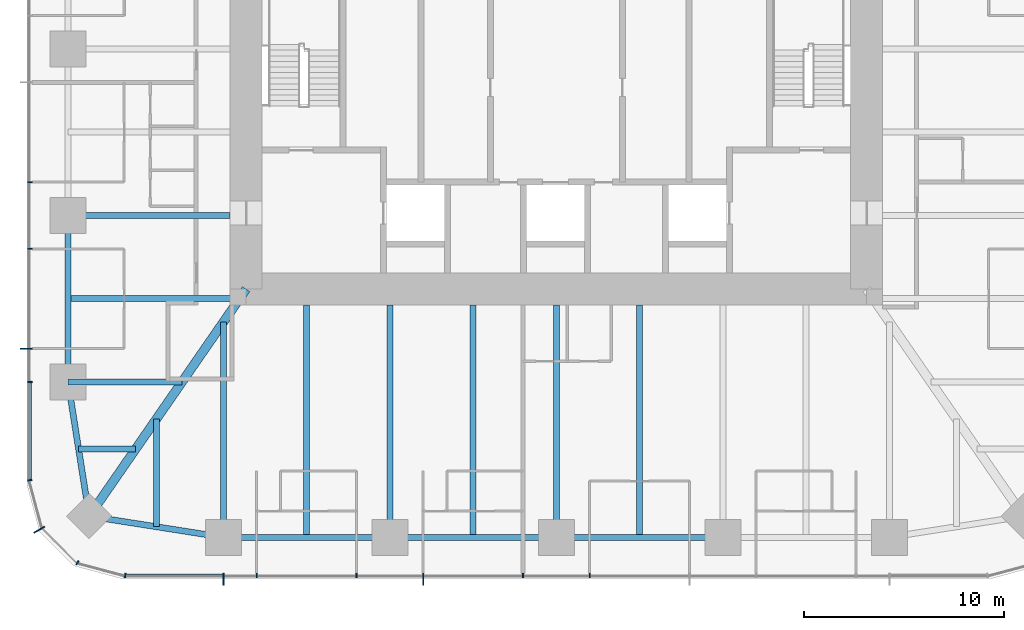
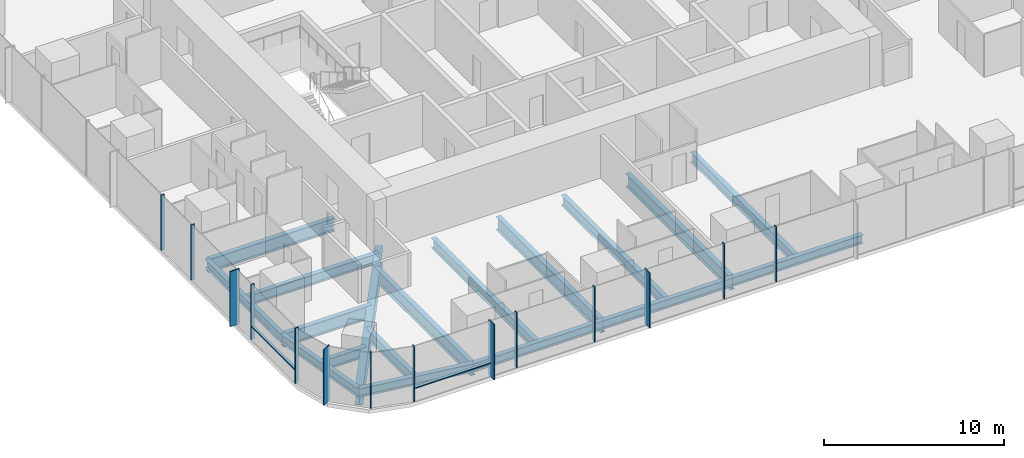
# One storey, part 2 of 12: 18 beams, 16 members, 3 elements without a shape of their own.
"""IFC4 building model written with IfcOpenShell, lengths in metres."""

from ifc_helpers import new_model, si_unit, direction, frame, origin, origin_2d, place, context, subcontext, project, spatial, rectangle, i_section, extrude, material, material_profile, profile_set, type_object, element, aggregate, save


model = new_model("IFC4")

# Units and contexts
model_context = context("Model", 3, precision=1e-05, world=origin(), true_north=direction((0.0, 1.0)))
body_context = subcontext(model_context, "Body", "Model", "MODEL_VIEW")
ifc_project = project(units=[si_unit("LENGTHUNIT", "METRE"), si_unit("AREAUNIT", "SQUARE_METRE"), si_unit("VOLUMEUNIT", "CUBIC_METRE"), si_unit("PLANEANGLEUNIT", "RADIAN"), si_unit("MASSUNIT", "GRAM", prefix="KILO")], contexts=[model_context])

# Site, building, storey
site_placement = place(None, origin())
site = spatial("IfcSite", under=ifc_project, at=site_placement, CompositionType="ELEMENT")
building_placement = place(site_placement, origin())
building = spatial("IfcBuilding", under=site, at=building_placement, Name="Khuree Lantern Residences", CompositionType="ELEMENT")
storey_placement = place(building_placement, frame((0.0, 0.0, 214.5)))
storey = spatial("IfcBuildingStorey", under=building, at=storey_placement, Name="L53", CompositionType="ELEMENT", Elevation=214.5)

# Beams
ifc_material_1 = material(Name="Steel S355", Category="steel")
ifc_material_profile_1 = material_profile(ifc_material_1, i_section(OverallWidth=0.300048828125, OverallDepth=0.68994140625, WebThickness=0.014404296875, FlangeThickness=0.027099609375, FilletRadius=0.027099609375, at=origin_2d()), Name="HE 700 A")
ifc_profile_set_1 = profile_set([ifc_material_profile_1], Name="Steel S355")
beam_type_1 = type_object("IfcBeamType", Name="B-32 SECONDARY BEAM HE 700 A", PredefinedType="BEAM", material=ifc_profile_set_1)
for number, where, z_axis, x_axis, name in (
    (1, (4.159912109375, -24.39990234375, -0.594970703125), (0.0, 1.0, 0.0), (-1.0, 0.0, 0.0), "Secondary beam S3"),
    (2, (-4.159912109375, -24.39990234375, -0.594970703125), (0.0, 1.0, 0.0), (-1.0, 0.0, 0.0), "Secondary beam S4"),
    (3, (-12.47998046875, -24.39990234375, -0.594970703125), (0.0, 1.0, 0.0), (-1.0, 0.0, 0.0), "Secondary beam S5"),
):
    element("IfcBeam", number, at=place(storey_placement, frame(where, z_axis=z_axis, x_axis=x_axis)), inside=storey, type_object=beam_type_1, Name=name, PredefinedType="BEAM", context=body_context, shape_type="SweptSolid", body=[
        extrude(i_section(OverallWidth=0.300048828125, OverallDepth=0.68994140625, WebThickness=0.014404296875, FlangeThickness=0.027099609375, FilletRadius=0.027099609375, at=origin_2d()), origin(), (0.0, 0.0, 1.0), 11.599853515625),
    ])
beam_1_placement = place(storey_placement, frame((-19.992919921875, -23.872802734375, -0.594970703125), z_axis=(0.0, 1.0, 0.0), x_axis=(-1.0, 0.0, 0.0)))
element("IfcBeam", 4, at=beam_1_placement, inside=storey, type_object=beam_type_1, Name="Secondary beam S6", PredefinedType="BEAM", context=body_context, shape_type="SweptSolid", body=[
    extrude(i_section(OverallWidth=0.300048828125, OverallDepth=0.68994140625, WebThickness=0.014404296875, FlangeThickness=0.027099609375, FilletRadius=0.027099609375, at=origin_2d()), origin(), (0.0, 0.0, 1.0), 5.375732421875),
])
beam_2_placement = place(storey_placement, frame((-23.872802734375, -19.992919921875, -0.594970703125), z_axis=(1.0, 0.0, 0.0), x_axis=(0.0, 1.0, 0.0)))
element("IfcBeam", 5, at=beam_2_placement, inside=storey, type_object=beam_type_1, Name="Secondary beam W1", PredefinedType="BEAM", context=body_context, shape_type="SweptSolid", body=[
    extrude(i_section(OverallWidth=0.300048828125, OverallDepth=0.68994140625, WebThickness=0.014404296875, FlangeThickness=0.027099609375, FilletRadius=0.027099609375, at=origin_2d()), origin(), (0.0, 0.0, 1.0), 2.845703125),
])
beam_3_placement = place(storey_placement, frame((-24.39990234375, -12.47998046875, -0.594970703125), z_axis=(1.0, 0.0, 0.0), x_axis=(0.0, 1.0, 0.0)))
element("IfcBeam", 6, at=beam_3_placement, inside=storey, type_object=beam_type_1, Name="Secondary beam W2", PredefinedType="BEAM", context=body_context, shape_type="SweptSolid", body=[
    extrude(i_section(OverallWidth=0.300048828125, OverallDepth=0.68994140625, WebThickness=0.014404296875, FlangeThickness=0.027099609375, FilletRadius=0.027099609375, at=origin_2d()), origin(), (0.0, 0.0, 1.0), 8.56787109375),
])
ifc_material_profile_2 = material_profile(ifc_material_1, i_section(OverallWidth=0.300048828125, OverallDepth=0.590087890625, WebThickness=0.012939453125, FlangeThickness=0.02490234375, FilletRadius=0.027099609375, at=origin_2d()), Name="HE 600 A")
ifc_profile_set_2 = profile_set([ifc_material_profile_2], Name="Steel S355")
beam_type_2 = type_object("IfcBeamType", Name="E-32 SPANDREL BEAM HE 600 A", PredefinedType="SPANDREL", material=ifc_profile_set_2)
for number, where, z_axis, x_axis, name in (
    (7, (8.320068359375, -24.39990234375, -0.544921875), (-1.0, 0.0, 0.0), (0.0, -1.0, 0.0), "Spandrel beam S3"),
    (8, (0.0, -24.39990234375, -0.544921875), (-1.0, 0.0, 0.0), (0.0, -1.0, 0.0), "Spandrel beam S4"),
):
    element("IfcBeam", number, at=place(storey_placement, frame(where, z_axis=z_axis, x_axis=x_axis)), inside=storey, type_object=beam_type_2, Name=name, PredefinedType="SPANDREL", context=body_context, shape_type="SweptSolid", body=[
        extrude(i_section(OverallWidth=0.300048828125, OverallDepth=0.590087890625, WebThickness=0.012939453125, FlangeThickness=0.02490234375, FilletRadius=0.027099609375, at=origin_2d()), origin(), (0.0, 0.0, 1.0), 8.320068359375),
    ])
beam_4_placement = place(storey_placement, frame((-8.320068359375, -24.39990234375, -0.544921875), z_axis=(-1.0, 0.0, 0.0), x_axis=(0.0, -1.0, 0.0)))
element("IfcBeam", 9, at=beam_4_placement, inside=storey, type_object=beam_type_2, Name="Spandrel beam S5", PredefinedType="SPANDREL", context=body_context, shape_type="SweptSolid", body=[
    extrude(i_section(OverallWidth=0.300048828125, OverallDepth=0.590087890625, WebThickness=0.012939453125, FlangeThickness=0.02490234375, FilletRadius=0.027099609375, at=origin_2d()), origin(), (0.0, 0.0, 1.0), 8.31982421875),
])
for number, where, z_axis, x_axis, name in (
    (10, (-16.639892578125, -24.39990234375, -0.544921875), (-0.98786743189, 0.155299507442, 0.0), (-0.155299507442, -0.98786743189, 0.0), "Spandrel beam S6"),
    (11, (-23.345703125, -23.345703125, -0.544921875), (-0.155299507442, 0.98786743189, 0.0), (-0.98786743189, -0.155299507442, 0.0), "Spandrel beam W1"),
):
    element("IfcBeam", number, at=place(storey_placement, frame(where, z_axis=z_axis, x_axis=x_axis)), inside=storey, type_object=beam_type_2, Name=name, PredefinedType="SPANDREL", context=body_context, shape_type="SweptSolid", body=[
        extrude(i_section(OverallWidth=0.300048828125, OverallDepth=0.590087890625, WebThickness=0.012939453125, FlangeThickness=0.02490234375, FilletRadius=0.027099609375, at=origin_2d()), origin(), (0.0, 0.0, 1.0), 6.7880859375),
    ])
beam_5_placement = place(storey_placement, frame((-24.39990234375, -16.639892578125, -0.544921875), z_axis=(0.0, 1.0, 0.0), x_axis=(-1.0, 0.0, 0.0)))
element("IfcBeam", 12, at=beam_5_placement, inside=storey, type_object=beam_type_2, Name="Spandrel beam W2", PredefinedType="SPANDREL", context=body_context, shape_type="SweptSolid", body=[
    extrude(i_section(OverallWidth=0.300048828125, OverallDepth=0.590087890625, WebThickness=0.012939453125, FlangeThickness=0.02490234375, FilletRadius=0.027099609375, at=origin_2d()), origin(), (0.0, 0.0, 1.0), 8.31982421875),
])

# Curtain wall, member
ifc_material_2 = material(Name="Bronze anodised aluminium", Category="aluminium")
curtain_wall_type_1 = type_object("IfcCurtainWallType", Name="CW-T1 TOWER FACE CURTAIN WALL", PredefinedType="USERDEFINED", material=ifc_material_2)
curtain_wall_1_placement = place(storey_placement, origin())
curtain_wall_1 = element("IfcCurtainWall", 13, at=curtain_wall_1_placement, inside=storey, type_object=curtain_wall_type_1, Name="L53 WEST FACE CURTAIN WALL", ObjectType="Stick-built curtain wall", PredefinedType="USERDEFINED")
ifc_material_profile_3 = material_profile(ifc_material_2, rectangle(XDim=0.06494140625, YDim=0.60009765625, at=origin_2d()), Name="F1 65X600")
ifc_profile_set_3 = profile_set([ifc_material_profile_3], Name="Bronze anodised aluminium")
member_type_1 = type_object("IfcMemberType", Name="F1 BRONZE FIN MULLION TOWER 65X600", PredefinedType="MULLION", material=ifc_profile_set_3)
member_1_placement = place(storey_placement, frame((-26.5, -14.97607421875, 0.0), z_axis=(0.0, 0.0, 1.0), x_axis=(0.0, -1.0, 0.0)))
member_1 = element("IfcMember", 14, at=member_1_placement, type_object=member_type_1, Name="L53 WEST FACE FIN MULLION 41", PredefinedType="MULLION", context=body_context, shape_type="SweptSolid", body=[
    extrude(rectangle(XDim=0.06494140625, YDim=0.60009765625, at=origin_2d()), origin(), (0.0, 0.0, 1.0), 3.75),
])

curtain_wall_type_2 = type_object("IfcCurtainWallType", Name="CW-T2 TOWER CORNER CURTAIN WALL", PredefinedType="USERDEFINED", material=ifc_material_2)
curtain_wall_2_placement = place(storey_placement, origin())
curtain_wall_2 = element("IfcCurtainWall", 15, at=curtain_wall_2_placement, inside=storey, type_object=curtain_wall_type_2, Name="L53 SOUTH-WEST CORNER CURTAIN WALL", ObjectType="Faceted corner curtain wall", PredefinedType="USERDEFINED")
member_2_placement = place(storey_placement, frame((-25.8369140625, -24.02490234375, 0.0), z_axis=(0.0, 0.0, 1.0), x_axis=(0.499999989586, -0.866025409797, 0.0)))
member_2 = element("IfcMember", 16, at=member_2_placement, type_object=member_type_1, Name="L53 SOUTH-WEST CORNER FIN MULLION 44", PredefinedType="MULLION", context=body_context, shape_type="SweptSolid", body=[
    extrude(rectangle(XDim=0.06494140625, YDim=0.60009765625, at=origin_2d()), origin(), (0.0, 0.0, 1.0), 3.75),
])

# Curtain wall, members
curtain_wall_3_placement = place(storey_placement, origin())
curtain_wall_3 = element("IfcCurtainWall", 17, at=curtain_wall_3_placement, inside=storey, type_object=curtain_wall_type_1, Name="L53 SOUTH FACE CURTAIN WALL", ObjectType="Stick-built curtain wall", PredefinedType="USERDEFINED")
member_3_placement = place(storey_placement, frame((-16.639892578125, -26.5, 0.0), z_axis=(0.0, 0.0, 1.0), x_axis=(1.0, 0.0, 0.0)))
member_3 = element("IfcMember", 18, at=member_3_placement, type_object=member_type_1, Name="L53 SOUTH FACE FIN MULLION 47", PredefinedType="MULLION", context=body_context, shape_type="SweptSolid", body=[
    extrude(rectangle(XDim=0.06494140625, YDim=0.60009765625, at=origin_2d()), origin(), (0.0, 0.0, 1.0), 3.75),
])
member_4_placement = place(storey_placement, frame((-6.656005859375, -26.5, 0.0), z_axis=(0.0, 0.0, 1.0), x_axis=(1.0, 0.0, 0.0)))
member_4 = element("IfcMember", 19, at=member_4_placement, type_object=member_type_1, Name="L53 SOUTH FACE FIN MULLION 50", PredefinedType="MULLION", context=body_context, shape_type="SweptSolid", body=[
    extrude(rectangle(XDim=0.06494140625, YDim=0.60009765625, at=origin_2d()), origin(), (0.0, 0.0, 1.0), 3.75),
])

# Beams
ifc_material_profile_4 = material_profile(ifc_material_1, i_section(OverallWidth=0.300048828125, OverallDepth=0.89990234375, WebThickness=0.0185546875, FlangeThickness=0.034912109375, FilletRadius=0.030029296875, at=origin_2d()), Name="HE 900 B")
ifc_profile_set_4 = profile_set([ifc_material_profile_4], Name="Steel S355")
beam_type_3 = type_object("IfcBeamType", Name="G-32 GIRDER HE 900 B", PredefinedType="BEAM", material=ifc_profile_set_4)
for number, where, z_axis, x_axis, name in (
    (20, (0.0, -24.39990234375, -0.699951171875), (0.0, 1.0, 0.0), (-1.0, 0.0, 0.0), "Girder S3"),
    (21, (-8.320068359375, -24.39990234375, -0.699951171875), (0.0, 1.0, 0.0), (-1.0, 0.0, 0.0), "Girder S4"),
):
    element("IfcBeam", number, at=place(storey_placement, frame(where, z_axis=z_axis, x_axis=x_axis)), inside=storey, type_object=beam_type_3, Name=name, PredefinedType="BEAM", context=body_context, shape_type="SweptSolid", body=[
        extrude(i_section(OverallWidth=0.300048828125, OverallDepth=0.89990234375, WebThickness=0.0185546875, FlangeThickness=0.034912109375, FilletRadius=0.030029296875, at=origin_2d()), origin(), (0.0, 0.0, 1.0), 11.599853515625),
    ])
beam_6_placement = place(storey_placement, frame((-16.639892578125, -24.39990234375, -0.699951171875), z_axis=(0.0, 1.0, 0.0), x_axis=(-1.0, 0.0, 0.0)))
element("IfcBeam", 22, at=beam_6_placement, inside=storey, type_object=beam_type_3, Name="Girder S5", PredefinedType="BEAM", context=body_context, shape_type="SweptSolid", body=[
    extrude(i_section(OverallWidth=0.300048828125, OverallDepth=0.89990234375, WebThickness=0.0185546875, FlangeThickness=0.034912109375, FilletRadius=0.030029296875, at=origin_2d()), origin(), (0.0, 0.0, 1.0), 10.751220703125),
])
beam_7_placement = place(storey_placement, frame((-24.39990234375, -16.639892578125, -0.699951171875), z_axis=(1.0, 0.0, 0.0), x_axis=(0.0, 1.0, 0.0)))
element("IfcBeam", 23, at=beam_7_placement, inside=storey, type_object=beam_type_3, Name="Girder W1", PredefinedType="BEAM", context=body_context, shape_type="SweptSolid", body=[
    extrude(i_section(OverallWidth=0.300048828125, OverallDepth=0.89990234375, WebThickness=0.0185546875, FlangeThickness=0.034912109375, FilletRadius=0.030029296875, at=origin_2d()), origin(), (0.0, 0.0, 1.0), 5.69140625),
])
beam_8_placement = place(storey_placement, frame((-24.39990234375, -8.320068359375, -0.699951171875), z_axis=(1.0, 0.0, 0.0), x_axis=(0.0, 1.0, 0.0)))
element("IfcBeam", 24, at=beam_8_placement, inside=storey, type_object=beam_type_3, Name="Girder W2", PredefinedType="BEAM", context=body_context, shape_type="SweptSolid", body=[
    extrude(i_section(OverallWidth=0.300048828125, OverallDepth=0.89990234375, WebThickness=0.0185546875, FlangeThickness=0.034912109375, FilletRadius=0.030029296875, at=origin_2d()), origin(), (0.0, 0.0, 1.0), 8.099853515625),
])
ifc_material_profile_5 = material_profile(ifc_material_1, i_section(OverallWidth=0.449951171875, OverallDepth=1.199951171875, WebThickness=0.02490234375, FlangeThickness=0.044921875, at=origin_2d()), Name="WELDED I 1200X450X25X45")
ifc_profile_set_5 = profile_set([ifc_material_profile_5], Name="Steel S355")
beam_type_4 = type_object("IfcBeamType", Name="GD-32 CORNER GIRDER WELDED I 1200X450X25X45", PredefinedType="BEAM", material=ifc_profile_set_5)
beam_9_placement = place(storey_placement, frame((-23.345703125, -23.345703125, -0.85009765625), z_axis=(0.56876813501, 0.822497907959, 0.0), x_axis=(-0.822497907959, 0.56876813501, 0.0)))
element("IfcBeam", 25, at=beam_9_placement, inside=storey, type_object=beam_type_4, Name="Corner girder SW", PredefinedType="BEAM", context=body_context, shape_type="SweptSolid", body=[
    extrude(i_section(OverallWidth=0.449951171875, OverallDepth=1.199951171875, WebThickness=0.02490234375, FlangeThickness=0.044921875, at=origin_2d()), origin(), (0.0, 0.0, 1.0), 13.794189453125),
])

# Member
ifc_material_profile_6 = material_profile(ifc_material_2, rectangle(XDim=0.06494140625, YDim=0.219970703125, at=origin_2d()), Name="M1 65X220")
ifc_profile_set_6 = profile_set([ifc_material_profile_6], Name="Bronze anodised aluminium")
member_type_2 = type_object("IfcMemberType", Name="M1 BRONZE MULLION TOWER 65X220", PredefinedType="MULLION", material=ifc_profile_set_6)
member_5_placement = place(storey_placement, frame((-26.31005859375, -6.656005859375, 0.0), z_axis=(0.0, 0.0, 1.0), x_axis=(0.0, -1.0, 0.0)))
member_5 = element("IfcMember", 26, at=member_5_placement, type_object=member_type_2, Name="L53 WEST FACE MULLION 39", PredefinedType="MULLION", context=body_context, shape_type="SweptSolid", body=[
    extrude(rectangle(XDim=0.06494140625, YDim=0.219970703125, at=origin_2d()), origin(), (0.0, 0.0, 1.0), 3.75),
])

member_6_placement = place(storey_placement, frame((-26.31005859375, -9.98388671875, 0.0), z_axis=(0.0, 0.0, 1.0), x_axis=(0.0, -1.0, 0.0)))
member_6 = element("IfcMember", 27, at=member_6_placement, type_object=member_type_2, Name="L53 WEST FACE MULLION 40", PredefinedType="MULLION", context=body_context, shape_type="SweptSolid", body=[
    extrude(rectangle(XDim=0.06494140625, YDim=0.219970703125, at=origin_2d()), origin(), (0.0, 0.0, 1.0), 3.75),
])

member_7_placement = place(storey_placement, frame((-26.31005859375, -16.639892578125, 0.0), z_axis=(0.0, 0.0, 1.0), x_axis=(0.0, -1.0, 0.0)))
member_7 = element("IfcMember", 28, at=member_7_placement, type_object=member_type_2, Name="L53 WEST FACE MULLION 42", PredefinedType="MULLION", context=body_context, shape_type="SweptSolid", body=[
    extrude(rectangle(XDim=0.06494140625, YDim=0.219970703125, at=origin_2d()), origin(), (0.0, 0.0, 1.0), 3.75),
])

member_8_placement = place(storey_placement, frame((-26.311767578125, -21.544921875, 0.0), z_axis=(0.0, 0.0, 1.0), x_axis=(0.130526180298, -0.991444862943, 0.0)))
member_8 = element("IfcMember", 29, at=member_8_placement, type_object=member_type_2, Name="L53 SOUTH-WEST CORNER MULLION 43", PredefinedType="MULLION", context=body_context, shape_type="SweptSolid", body=[
    extrude(rectangle(XDim=0.06494140625, YDim=0.219970703125, at=origin_2d()), origin(), (0.0, 0.0, 1.0), 3.75),
])

member_9_placement = place(storey_placement, frame((-23.929931640625, -25.67236328125, 0.0), z_axis=(0.0, 0.0, 1.0), x_axis=(0.866025409797, -0.499999989586, 0.0)))
member_9 = element("IfcMember", 30, at=member_9_placement, type_object=member_type_2, Name="L53 SOUTH-WEST CORNER MULLION 45", PredefinedType="MULLION", context=body_context, shape_type="SweptSolid", body=[
    extrude(rectangle(XDim=0.06494140625, YDim=0.219970703125, at=origin_2d()), origin(), (0.0, 0.0, 1.0), 3.75),
])

aggregate(curtain_wall_2, [member_8, member_2, member_9])

member_10_placement = place(storey_placement, frame((-21.544921875, -26.311767578125, 0.0), z_axis=(0.0, 0.0, 1.0), x_axis=(0.991444862943, -0.130526180298, 0.0)))
member_10 = element("IfcMember", 31, at=member_10_placement, type_object=member_type_2, Name="L53 SOUTH FACE MULLION 46", PredefinedType="MULLION", context=body_context, shape_type="SweptSolid", body=[
    extrude(rectangle(XDim=0.06494140625, YDim=0.219970703125, at=origin_2d()), origin(), (0.0, 0.0, 1.0), 3.75),
])

member_11_placement = place(storey_placement, frame((-14.97607421875, -26.31005859375, 0.0), z_axis=(0.0, 0.0, 1.0), x_axis=(1.0, 0.0, 0.0)))
member_11 = element("IfcMember", 32, at=member_11_placement, type_object=member_type_2, Name="L53 SOUTH FACE MULLION 48", PredefinedType="MULLION", context=body_context, shape_type="SweptSolid", body=[
    extrude(rectangle(XDim=0.06494140625, YDim=0.219970703125, at=origin_2d()), origin(), (0.0, 0.0, 1.0), 3.75),
])

member_12_placement = place(storey_placement, frame((-9.98388671875, -26.31005859375, 0.0), z_axis=(0.0, 0.0, 1.0), x_axis=(1.0, 0.0, 0.0)))
member_12 = element("IfcMember", 33, at=member_12_placement, type_object=member_type_2, Name="L53 SOUTH FACE MULLION 49", PredefinedType="MULLION", context=body_context, shape_type="SweptSolid", body=[
    extrude(rectangle(XDim=0.06494140625, YDim=0.219970703125, at=origin_2d()), origin(), (0.0, 0.0, 1.0), 3.75),
])

member_13_placement = place(storey_placement, frame((-1.6640625, -26.31005859375, 0.0), z_axis=(0.0, 0.0, 1.0), x_axis=(1.0, 0.0, 0.0)))
member_13 = element("IfcMember", 34, at=member_13_placement, type_object=member_type_2, Name="L53 SOUTH FACE MULLION 51", PredefinedType="MULLION", context=body_context, shape_type="SweptSolid", body=[
    extrude(rectangle(XDim=0.06494140625, YDim=0.219970703125, at=origin_2d()), origin(), (0.0, 0.0, 1.0), 3.75),
])

member_14_placement = place(storey_placement, frame((1.6640625, -26.31005859375, 0.0), z_axis=(0.0, 0.0, 1.0), x_axis=(1.0, 0.0, 0.0)))
member_14 = element("IfcMember", 35, at=member_14_placement, type_object=member_type_2, Name="L53 SOUTH FACE MULLION 52", PredefinedType="MULLION", context=body_context, shape_type="SweptSolid", body=[
    extrude(rectangle(XDim=0.06494140625, YDim=0.219970703125, at=origin_2d()), origin(), (0.0, 0.0, 1.0), 3.75),
])

ifc_material_profile_7 = material_profile(ifc_material_2, rectangle(XDim=0.179931640625, YDim=0.06494140625, at=origin_2d()), Name="T1 180X65")
ifc_profile_set_7 = profile_set([ifc_material_profile_7], Name="Bronze anodised aluminium")
member_type_3 = type_object("IfcMemberType", Name="TRANSOM T1 TOWER 180X65", PredefinedType="USERDEFINED", material=ifc_profile_set_7)
member_15_placement = place(storey_placement, frame((-26.320068359375, -16.672607421875, 0.89990234375), z_axis=(0.0, -1.0, 0.0), x_axis=(1.0, 0.0, 0.0)))
member_15 = element("IfcMember", 36, at=member_15_placement, type_object=member_type_3, Name="L53 WEST FACE TRANSOM 42.1", ObjectType="Transom", PredefinedType="USERDEFINED", context=body_context, shape_type="SweptSolid", body=[
    extrude(rectangle(XDim=0.179931640625, YDim=0.06494140625, at=origin_2d()), origin(), (0.0, 0.0, 1.0), 4.828857421875),
])

aggregate(curtain_wall_1, [member_5, member_6, member_1, member_7, member_15])

member_16_placement = place(storey_placement, frame((-21.50146484375, -26.320068359375, 0.89990234375), z_axis=(1.0, 0.0, 0.0), x_axis=(0.0, 1.0, 0.0)))
member_16 = element("IfcMember", 37, at=member_16_placement, type_object=member_type_3, Name="L53 SOUTH FACE TRANSOM 46.1", ObjectType="Transom", PredefinedType="USERDEFINED", context=body_context, shape_type="SweptSolid", body=[
    extrude(rectangle(XDim=0.179931640625, YDim=0.06494140625, at=origin_2d()), origin(), (0.0, 0.0, 1.0), 4.828857421875),
])

aggregate(curtain_wall_3, [member_10, member_3, member_11, member_12, member_4, member_13, member_14, member_16])

save(model, "model.ifc")
